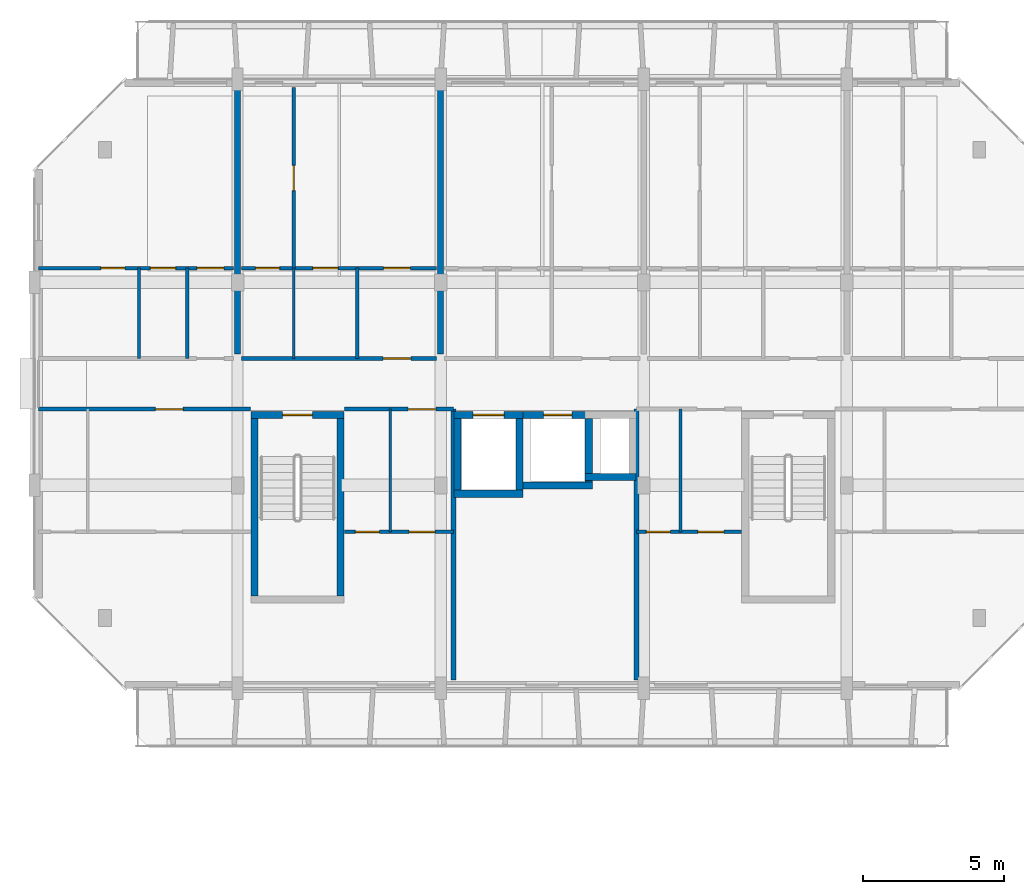
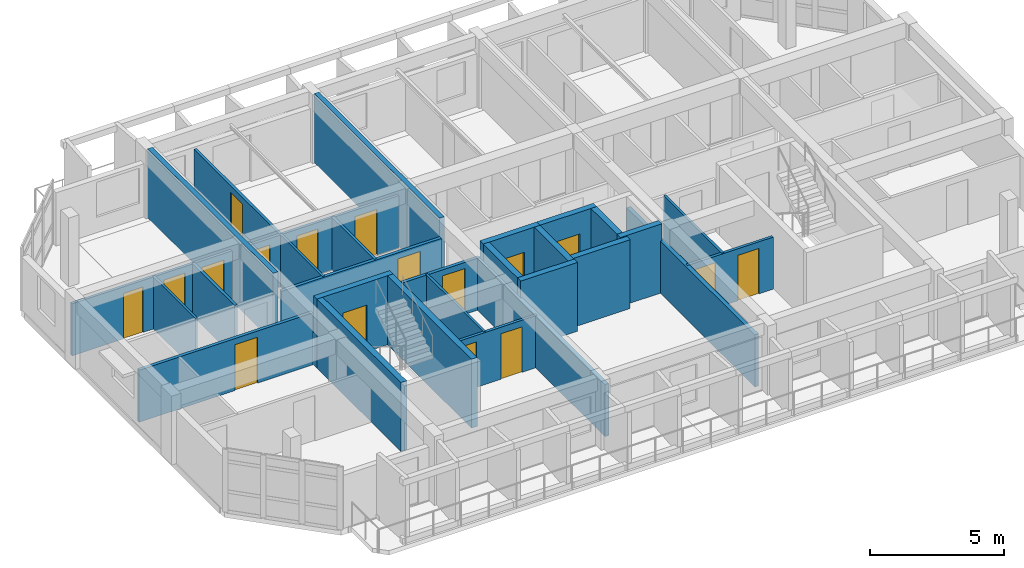
# One storey, part 19 of 40: 29 walls, 17 doors, 17 openings.
"""IFC4 building model written with IfcOpenShell, lengths in metres."""

from ifc_helpers import new_model, si_unit, direction, frame, frame_2d, origin, place, context, subcontext, project, spatial, rectangle, extrude, material, layer, layer_set, type_object, element, fill, save


model = new_model("IFC4")

# Units and contexts
model_context = context("Model", 3, precision=1e-05, world=origin(), true_north=direction((0.0, 1.0)))
body_context = subcontext(model_context, "Body", "Model", "MODEL_VIEW")
ifc_project = project(units=[si_unit("LENGTHUNIT", "METRE"), si_unit("AREAUNIT", "SQUARE_METRE"), si_unit("VOLUMEUNIT", "CUBIC_METRE"), si_unit("PLANEANGLEUNIT", "RADIAN"), si_unit("MASSUNIT", "GRAM", prefix="KILO")], contexts=[model_context])

# Site, building, storey
site_placement = place(None, origin())
site = spatial("IfcSite", under=ifc_project, at=site_placement, CompositionType="ELEMENT")
building_placement = place(site_placement, origin())
building = spatial("IfcBuilding", under=site, at=building_placement, Name="Ochrevale Crest", CompositionType="ELEMENT")
storey_placement = place(building_placement, frame((0.0, 0.0, 27.60009765625)))
storey = spatial("IfcBuildingStorey", under=building, at=storey_placement, Name="L08", CompositionType="ELEMENT", Elevation=27.60009765625)

# Wall, opening, door
ifc_material_1 = material(Name="Gypsum plasterboard", Category="gypsum")
ifc_layer_1 = layer(ifc_material_1, 0.139892578125)
ifc_layer_set_1 = layer_set([ifc_layer_1], Name="Gypsum plasterboard")
wall_type_1 = type_object("IfcWallType", Name="WL-COR-140", PredefinedType="PARTITIONING", material=ifc_layer_set_1)
wall_1_placement = place(storey_placement, frame((7.340087890625, 83.699951171875, 0.0), z_axis=(0.0, 0.0, 1.0), x_axis=(1.0, 0.0, 0.0)))
wall_1 = element("IfcWall", 1, at=wall_1_placement, inside=storey, type_object=wall_type_1, Name="Apartment B-L08-U2 corridor wall", PredefinedType="PARTITIONING", context=body_context, shape_type="SweptSolid", body=[
    extrude(rectangle(XDim=6.919921875, YDim=0.139892578125, at=frame_2d((3.4599609375, 0.0))), origin(), (0.0, 0.0, 1.0), 2.3798828125),
])
opening_1_placement = place(wall_1_placement, frame((5.02001953125, 0.0, 0.0)))
opening_1 = element("IfcOpeningElement", 2, at=opening_1_placement, cuts=wall_1, Name="Opening FD01", PredefinedType="OPENING", context=body_context, shape_type="SweptSolid", body=[
    extrude(rectangle(XDim=0.97998046875, YDim=2.10009765625, at=frame_2d((0.489990234375, 1.050048828125))), frame((0.0, 0.080078125, 0.0), z_axis=(0.0, -1.0, 0.0), x_axis=(1.0, 0.0, 0.0)), (0.0, 0.0, 1.0), 0.159912109375),
])
ifc_material_2 = material(Name="Solid-core FSC hardwood", Category="wood")
door_type_1 = type_object("IfcDoorType", Name="DR-APT-950", OperationType="NOTDEFINED", PredefinedType="DOOR", material=ifc_material_2)
door_1_placement = place(opening_1_placement, origin())
door_1 = element("IfcDoor", 3, at=door_1_placement, inside=storey, type_object=door_type_1, Name="Apartment B-L08-U2 entrance door", OperationType="SINGLE_SWING_LEFT", OverallHeight=2.10009765625, OverallWidth=0.97998046875, PredefinedType="DOOR", context=body_context, shape_type="SweptSolid", body=[
    extrude(rectangle(XDim=0.97998046875, YDim=2.10009765625, at=frame_2d((0.489990234375, 1.050048828125))), frame((0.0, 0.02490234375, 0.0), z_axis=(0.0, -1.0, 0.0), x_axis=(1.0, 0.0, 0.0)), (0.0, 0.0, 1.0), 0.050048828125),
])
fill(opening_1, door_1)

wall_2_placement = place(storey_placement, frame((0.139892578125, 81.89990234375, 0.0), z_axis=(0.0, 0.0, 1.0), x_axis=(1.0, 0.0, 0.0)))
wall_2 = element("IfcWall", 4, at=wall_2_placement, inside=storey, type_object=wall_type_1, Name="Suite B-L08-CW corridor wall", PredefinedType="PARTITIONING", context=body_context, shape_type="SweptSolid", body=[
    extrude(rectangle(XDim=7.52001953125, YDim=0.139892578125, at=frame_2d((3.760009765625, 0.0))), origin(), (0.0, 0.0, 1.0), 2.3798828125),
])
opening_2_placement = place(wall_2_placement, frame((4.14501953125, 0.0, 0.0)))
opening_2 = element("IfcOpeningElement", 5, at=opening_2_placement, cuts=wall_2, Name="Opening FD01", PredefinedType="OPENING", context=body_context, shape_type="SweptSolid", body=[
    extrude(rectangle(XDim=0.97998046875, YDim=2.10009765625, at=frame_2d((0.489990234375, 1.050048828125))), frame((0.0, 0.080078125, 0.0), z_axis=(0.0, -1.0, 0.0), x_axis=(1.0, 0.0, 0.0)), (0.0, 0.0, 1.0), 0.159912109375),
])
door_2_placement = place(opening_2_placement, origin())
door_2 = element("IfcDoor", 6, at=door_2_placement, inside=storey, type_object=door_type_1, Name="Suite B-L08-CW entrance door", OperationType="SINGLE_SWING_LEFT", OverallHeight=2.10009765625, OverallWidth=0.97998046875, PredefinedType="DOOR", context=body_context, shape_type="SweptSolid", body=[
    extrude(rectangle(XDim=0.97998046875, YDim=2.10009765625, at=frame_2d((0.489990234375, 1.050048828125))), frame((0.0, 0.02490234375, 0.0), z_axis=(0.0, -1.0, 0.0), x_axis=(1.0, 0.0, 0.0)), (0.0, 0.0, 1.0), 0.050048828125),
])
fill(opening_2, door_2)

wall_3_placement = place(storey_placement, frame((10.989990234375, 81.89990234375, 0.0), z_axis=(0.0, 0.0, 1.0), x_axis=(1.0, 0.0, 0.0)))
wall_3 = element("IfcWall", 7, at=wall_3_placement, inside=storey, type_object=wall_type_1, Name="Suite B-L08-MW corridor wall", PredefinedType="PARTITIONING", context=body_context, shape_type="SweptSolid", body=[
    extrude(rectangle(XDim=3.8701171875, YDim=0.139892578125, at=frame_2d((1.93505859375, 0.0))), origin(), (0.0, 0.0, 1.0), 2.3798828125),
])
opening_3_placement = place(wall_3_placement, frame((3.23779296875, 0.0, 0.0), z_axis=(0.0, 0.0, 1.0), x_axis=(-1.0, 0.0, 0.0)))
opening_3 = element("IfcOpeningElement", 8, at=opening_3_placement, cuts=wall_3, Name="Opening FD01", PredefinedType="OPENING", context=body_context, shape_type="SweptSolid", body=[
    extrude(rectangle(XDim=0.97998046875, YDim=2.10009765625, at=frame_2d((0.489990234375, 1.050048828125))), frame((0.0, 0.080078125, 0.0), z_axis=(0.0, -1.0, 0.0), x_axis=(1.0, 0.0, 0.0)), (0.0, 0.0, 1.0), 0.159912109375),
])
door_3_placement = place(opening_3_placement, origin())
door_3 = element("IfcDoor", 9, at=door_3_placement, inside=storey, type_object=door_type_1, Name="Suite B-L08-MW entrance door", OperationType="SINGLE_SWING_RIGHT", OverallHeight=2.10009765625, OverallWidth=0.97998046875, PredefinedType="DOOR", context=body_context, shape_type="SweptSolid", body=[
    extrude(rectangle(XDim=0.97998046875, YDim=2.10009765625, at=frame_2d((0.489990234375, 1.050048828125))), frame((0.0, 0.02490234375, 0.0), z_axis=(0.0, -1.0, 0.0), x_axis=(1.0, 0.0, 0.0)), (0.0, 0.0, 1.0), 0.050048828125),
])
fill(opening_3, door_3)

ifc_material_3 = material(Name="Precast concrete C50/60", Category="concrete")
ifc_layer_2 = layer(ifc_material_3, 0.2548828125)
ifc_layer_set_2 = layer_set([ifc_layer_2], Name="Precast concrete C50/60")
wall_type_2 = type_object("IfcWallType", Name="WL-CORE-255", PredefinedType="SHEAR", material=ifc_layer_set_2)
wall_4_placement = place(storey_placement, frame((7.672607421875, 81.699951171875, 0.0), z_axis=(0.0, 0.0, 1.0), x_axis=(1.0, 0.0, 0.0)))
wall_4 = element("IfcWall", 10, at=wall_4_placement, inside=storey, type_object=wall_type_2, Name="Block B L08 Stair 1 precast core shear wall N", PredefinedType="SHEAR", context=body_context, shape_type="SweptSolid", body=[
    extrude(rectangle(XDim=3.304931640625, YDim=0.2548828125, at=frame_2d((1.65234375, 0.0))), origin(), (0.0, 0.0, 1.0), 3.14990234375),
])
opening_4_placement = place(wall_4_placement, frame((2.177490234375, 0.0, 0.0), z_axis=(0.0, 0.0, 1.0), x_axis=(-1.0, 0.0, 0.0)))
opening_4 = element("IfcOpeningElement", 11, at=opening_4_placement, cuts=wall_4, Name="Opening FD03", PredefinedType="OPENING", context=body_context, shape_type="SweptSolid", body=[
    extrude(rectangle(XDim=1.050048828125, YDim=2.1201171875, at=frame_2d((0.52490234375, 1.06005859375))), frame((0.0, 0.137451171875, 0.0), z_axis=(0.0, -1.0, 0.0), x_axis=(1.0, 0.0, 0.0)), (0.0, 0.0, 1.0), 0.27490234375),
])
door_type_2 = type_object("IfcDoorType", Name="DR-ST-1050", OperationType="NOTDEFINED", PredefinedType="DOOR", material=ifc_material_2)
door_4_placement = place(opening_4_placement, origin())
door_4 = element("IfcDoor", 12, at=door_4_placement, inside=storey, type_object=door_type_2, Name="Block B L08 fire stair 1 door", OperationType="SINGLE_SWING_RIGHT", OverallHeight=2.1201171875, OverallWidth=1.050048828125, PredefinedType="DOOR", context=body_context, shape_type="SweptSolid", body=[
    extrude(rectangle(XDim=1.050048828125, YDim=2.1201171875, at=frame_2d((0.52490234375, 1.06005859375))), frame((0.0, 0.02490234375, 0.0), z_axis=(0.0, -1.0, 0.0), x_axis=(1.0, 0.0, 0.0)), (0.0, 0.0, 1.0), 0.050048828125),
])
fill(opening_4, door_4)

# Walls
for number, where, z_axis, x_axis, name in (
    (13, (7.800048828125, 75.277587890625, 0.0), (0.0, 0.0, 1.0), (0.0, 1.0, 0.0), "Block B L08 Stair 1 precast core shear wall W"),
    (14, (10.85009765625, 75.277587890625, 0.0), (0.0, 0.0, 1.0), (0.0, 1.0, 0.0), "Block B L08 Stair 1 precast core shear wall E"),
):
    element("IfcWall", number, at=place(storey_placement, frame(where, z_axis=z_axis, x_axis=x_axis)), inside=storey, type_object=wall_type_2, Name=name, PredefinedType="SHEAR", context=body_context, shape_type="SweptSolid", body=[
        extrude(rectangle(XDim=6.294921875, YDim=0.2548828125, at=frame_2d((3.1474609375, 0.0))), origin(), (0.0, 0.0, 1.0), 3.14990234375),
    ])
wall_5_placement = place(storey_placement, frame((14.87255859375, 78.89990234375, 0.0), z_axis=(0.0, 0.0, 1.0), x_axis=(1.0, 0.0, 0.0)))
element("IfcWall", 15, at=wall_5_placement, inside=storey, type_object=wall_type_2, Name="Block B L08 Lift 1 precast shaft shear wall S", PredefinedType="SHEAR", context=body_context, shape_type="SweptSolid", body=[
    extrude(rectangle(XDim=2.454833984375, YDim=0.2548828125, at=frame_2d((1.2275390625, 0.0))), origin(), (0.0, 0.0, 1.0), 3.14990234375),
])

# Wall, opening, door
wall_6_placement = place(storey_placement, frame((14.87255859375, 81.699951171875, 0.0), z_axis=(0.0, 0.0, 1.0), x_axis=(1.0, 0.0, 0.0)))
wall_6 = element("IfcWall", 16, at=wall_6_placement, inside=storey, type_object=wall_type_2, Name="Block B L08 Lift 1 precast shaft shear wall N", PredefinedType="SHEAR", context=body_context, shape_type="SweptSolid", body=[
    extrude(rectangle(XDim=2.454833984375, YDim=0.2548828125, at=frame_2d((1.2275390625, 0.0))), origin(), (0.0, 0.0, 1.0), 3.14990234375),
])
opening_5_placement = place(wall_6_placement, frame((0.677490234375, 0.0, 0.0)))
opening_5 = element("IfcOpeningElement", 17, at=opening_5_placement, cuts=wall_6, Name="Opening LD01", PredefinedType="OPENING", context=body_context, shape_type="SweptSolid", body=[
    extrude(rectangle(XDim=1.10009765625, YDim=2.14990234375, at=frame_2d((0.550048828125, 1.074951171875))), frame((0.0, 0.137451171875, 0.0), z_axis=(0.0, -1.0, 0.0), x_axis=(1.0, 0.0, 0.0)), (0.0, 0.0, 1.0), 0.27490234375),
])
door_type_3 = type_object("IfcDoorType", Name="DR-LIFT-1100", OperationType="NOTDEFINED", PredefinedType="DOOR", material=ifc_material_2)
door_5_placement = place(opening_5_placement, origin())
door_5 = element("IfcDoor", 18, at=door_5_placement, inside=storey, type_object=door_type_3, Name="Lift LF-B1 L08 sliding landing door", OperationType="SLIDING_TO_LEFT", OverallHeight=2.14990234375, OverallWidth=1.10009765625, PredefinedType="DOOR", context=body_context, shape_type="SweptSolid", body=[
    extrude(rectangle(XDim=1.10009765625, YDim=2.14990234375, at=frame_2d((0.550048828125, 1.074951171875))), frame((0.0, 0.02490234375, 0.0), z_axis=(0.0, -1.0, 0.0), x_axis=(1.0, 0.0, 0.0)), (0.0, 0.0, 1.0), 0.050048828125),
])
fill(opening_5, door_5)

# Walls
for number, where, z_axis, x_axis, name in (
    (19, (15.0, 79.027587890625, 0.0), (0.0, 0.0, 1.0), (0.0, 1.0, 0.0), "Block B L08 Lift 1 precast shaft shear wall W"),
    (20, (17.199951171875, 79.027587890625, 0.0), (0.0, 0.0, 1.0), (0.0, 1.0, 0.0), "Block B L08 Lift 1 precast shaft shear wall E"),
):
    element("IfcWall", number, at=place(storey_placement, frame(where, z_axis=z_axis, x_axis=x_axis)), inside=storey, type_object=wall_type_2, Name=name, PredefinedType="SHEAR", context=body_context, shape_type="SweptSolid", body=[
        extrude(rectangle(XDim=2.544921875, YDim=0.2548828125, at=frame_2d((1.2724609375, 0.0))), origin(), (0.0, 0.0, 1.0), 3.14990234375),
    ])
wall_7_placement = place(storey_placement, frame((17.322509765625, 79.199951171875, 0.0), z_axis=(0.0, 0.0, 1.0), x_axis=(1.0, 0.0, 0.0)))
element("IfcWall", 21, at=wall_7_placement, inside=storey, type_object=wall_type_2, Name="Block B L08 Lift 2 precast shaft shear wall S", PredefinedType="SHEAR", context=body_context, shape_type="SweptSolid", body=[
    extrude(rectangle(XDim=2.455078125, YDim=0.2548828125, at=frame_2d((1.2275390625, 0.0))), origin(), (0.0, 0.0, 1.0), 3.14990234375),
])

# Wall, opening, door
wall_8_placement = place(storey_placement, frame((17.322509765625, 81.699951171875, 0.0), z_axis=(0.0, 0.0, 1.0), x_axis=(1.0, 0.0, 0.0)))
wall_8 = element("IfcWall", 22, at=wall_8_placement, inside=storey, type_object=wall_type_2, Name="Block B L08 Lift 2 precast shaft shear wall N", PredefinedType="SHEAR", context=body_context, shape_type="SweptSolid", body=[
    extrude(rectangle(XDim=2.455078125, YDim=0.2548828125, at=frame_2d((1.2275390625, 0.0))), origin(), (0.0, 0.0, 1.0), 3.14990234375),
])
opening_6_placement = place(wall_8_placement, frame((0.7275390625, 0.0, 0.0)))
opening_6 = element("IfcOpeningElement", 23, at=opening_6_placement, cuts=wall_8, Name="Opening LD02", PredefinedType="OPENING", context=body_context, shape_type="SweptSolid", body=[
    extrude(rectangle(XDim=1.0, YDim=2.14990234375, at=frame_2d((0.5, 1.074951171875))), frame((0.0, 0.137451171875, 0.0), z_axis=(0.0, -1.0, 0.0), x_axis=(1.0, 0.0, 0.0)), (0.0, 0.0, 1.0), 0.27490234375),
])
door_type_4 = type_object("IfcDoorType", Name="DR-LIFT-1000", OperationType="NOTDEFINED", PredefinedType="DOOR", material=ifc_material_2)
door_6_placement = place(opening_6_placement, origin())
door_6 = element("IfcDoor", 24, at=door_6_placement, inside=storey, type_object=door_type_4, Name="Lift LP-B2 L08 sliding landing door", OperationType="SLIDING_TO_RIGHT", OverallHeight=2.14990234375, OverallWidth=1.0, PredefinedType="DOOR", context=body_context, shape_type="SweptSolid", body=[
    extrude(rectangle(XDim=1.0, YDim=2.14990234375, at=frame_2d((0.5, 1.074951171875))), frame((0.0, 0.02490234375, 0.0), z_axis=(0.0, -1.0, 0.0), x_axis=(1.0, 0.0, 0.0)), (0.0, 0.0, 1.0), 0.050048828125),
])
fill(opening_6, door_6)

# Walls
wall_9_placement = place(storey_placement, frame((19.64990234375, 79.327392578125, 0.0), z_axis=(0.0, 0.0, 1.0), x_axis=(0.0, 1.0, 0.0)))
element("IfcWall", 25, at=wall_9_placement, inside=storey, type_object=wall_type_2, Name="Block B L08 Lift 2 precast shaft shear wall E", PredefinedType="SHEAR", context=body_context, shape_type="SweptSolid", body=[
    extrude(rectangle(XDim=2.2451171875, YDim=0.2548828125, at=frame_2d((1.12255859375, 0.0))), origin(), (0.0, 0.0, 1.0), 3.14990234375),
])
wall_10_placement = place(storey_placement, frame((19.5224609375, 79.5, 0.0), z_axis=(0.0, 0.0, 1.0), x_axis=(1.0, 0.0, 0.0)))
element("IfcWall", 26, at=wall_10_placement, inside=storey, type_object=wall_type_2, Name="Block B L08 services riser shaft core wall S", PredefinedType="SHEAR", context=body_context, shape_type="SweptSolid", body=[
    extrude(rectangle(XDim=1.804931640625, YDim=0.2548828125, at=frame_2d((0.90234375, 0.0))), origin(), (0.0, 0.0, 1.0), 3.14990234375),
])
ifc_layer_3 = layer(ifc_material_1, 0.1201171875)
ifc_layer_set_3 = layer_set([ifc_layer_3], Name="Gypsum plasterboard")
wall_type_3 = type_object("IfcWallType", Name="WL-PART-120", PredefinedType="PARTITIONING", material=ifc_layer_set_3)
wall_11_placement = place(storey_placement, frame((5.409912109375, 83.699951171875, 0.0), z_axis=(0.0, 0.0, 1.0), x_axis=(0.0, 1.0, 0.0)))
element("IfcWall", 27, at=wall_11_placement, inside=storey, type_object=wall_type_3, Name="Apartment B-L08-U1 kitchen-foyer wall", PredefinedType="PARTITIONING", context=body_context, shape_type="SweptSolid", body=[
    extrude(rectangle(XDim=3.199951171875, YDim=0.1201171875, at=frame_2d((1.60009765625, 0.0))), origin(), (0.0, 0.0, 1.0), 2.3798828125),
])

# Wall, openings, doors
wall_12_placement = place(storey_placement, frame((0.139892578125, 86.89990234375, 0.0), z_axis=(0.0, 0.0, 1.0), x_axis=(1.0, 0.0, 0.0)))
wall_12 = element("IfcWall", 28, at=wall_12_placement, inside=storey, type_object=wall_type_3, Name="Apartment B-L08-U1 central partition", PredefinedType="PARTITIONING", context=body_context, shape_type="SweptSolid", body=[
    extrude(rectangle(XDim=6.920166015625, YDim=0.1201171875, at=frame_2d((3.4599609375, 0.0))), origin(), (0.0, 0.0, 1.0), 2.3798828125),
])
opening_7_placement = place(wall_12_placement, frame((3.06005859375, 0.0, 0.0), z_axis=(0.0, 0.0, 1.0), x_axis=(-1.0, 0.0, 0.0)))
opening_7 = element("IfcOpeningElement", 29, at=opening_7_placement, cuts=wall_12, Name="Opening ID01", PredefinedType="OPENING", context=body_context, shape_type="SweptSolid", body=[
    extrude(rectangle(XDim=0.85009765625, YDim=2.080078125, at=frame_2d((0.425048828125, 1.0400390625))), frame((0.0, 0.070068359375, 0.0), z_axis=(0.0, -1.0, 0.0), x_axis=(1.0, 0.0, 0.0)), (0.0, 0.0, 1.0), 0.14013671875),
])
opening_8_placement = place(wall_12_placement, frame((3.965087890625, 0.0, 0.0)))
opening_8 = element("IfcOpeningElement", 30, at=opening_8_placement, cuts=wall_12, Name="Opening ID02", PredefinedType="OPENING", context=body_context, shape_type="SweptSolid", body=[
    extrude(rectangle(XDim=0.89990234375, YDim=2.080078125, at=frame_2d((0.449951171875, 1.0400390625))), frame((0.0, 0.070068359375, 0.0), z_axis=(0.0, -1.0, 0.0), x_axis=(1.0, 0.0, 0.0)), (0.0, 0.0, 1.0), 0.14013671875),
])
opening_9_placement = place(wall_12_placement, frame((6.570068359375, 0.0, 0.0), z_axis=(0.0, 0.0, 1.0), x_axis=(-1.0, 0.0, 0.0)))
opening_9 = element("IfcOpeningElement", 31, at=opening_9_placement, cuts=wall_12, Name="Opening ID06", PredefinedType="OPENING", context=body_context, shape_type="SweptSolid", body=[
    extrude(rectangle(XDim=0.949951171875, YDim=2.080078125, at=frame_2d((0.47509765625, 1.0400390625))), frame((0.0, 0.070068359375, 0.0), z_axis=(0.0, -1.0, 0.0), x_axis=(1.0, 0.0, 0.0)), (0.0, 0.0, 1.0), 0.14013671875),
])
door_type_5 = type_object("IfcDoorType", Name="DR-INT-900", OperationType="NOTDEFINED", PredefinedType="DOOR", material=ifc_material_2)
door_7_placement = place(opening_8_placement, origin())
door_7 = element("IfcDoor", 32, at=door_7_placement, inside=storey, type_object=door_type_5, Name="Apartment B-L08-U1 Kitchen door", OperationType="SINGLE_SWING_LEFT", OverallHeight=2.080078125, OverallWidth=0.89990234375, PredefinedType="DOOR", context=body_context, shape_type="SweptSolid", body=[
    extrude(rectangle(XDim=0.89990234375, YDim=2.080078125, at=frame_2d((0.449951171875, 1.0400390625))), frame((0.0, 0.02490234375, 0.0), z_axis=(0.0, -1.0, 0.0), x_axis=(1.0, 0.0, 0.0)), (0.0, 0.0, 1.0), 0.050048828125),
])
fill(opening_8, door_7)
door_type_6 = type_object("IfcDoorType", Name="DR-INT-950", OperationType="NOTDEFINED", PredefinedType="DOOR", material=ifc_material_2)
door_8_placement = place(opening_9_placement, origin())
door_8 = element("IfcDoor", 33, at=door_8_placement, inside=storey, type_object=door_type_6, Name="Apartment B-L08-U1 Living Foyer door", OperationType="SINGLE_SWING_RIGHT", OverallHeight=2.080078125, OverallWidth=0.949951171875, PredefinedType="DOOR", context=body_context, shape_type="SweptSolid", body=[
    extrude(rectangle(XDim=0.949951171875, YDim=2.080078125, at=frame_2d((0.47509765625, 1.0400390625))), frame((0.0, 0.02490234375, 0.0), z_axis=(0.0, -1.0, 0.0), x_axis=(1.0, 0.0, 0.0)), (0.0, 0.0, 1.0), 0.050048828125),
])
fill(opening_9, door_8)
door_type_7 = type_object("IfcDoorType", Name="DR-WC-850", OperationType="NOTDEFINED", PredefinedType="DOOR", material=ifc_material_2)
door_9_placement = place(opening_7_placement, origin())
door_9 = element("IfcDoor", 34, at=door_9_placement, inside=storey, type_object=door_type_7, Name="Apartment B-L08-U1 Bathroom door", OperationType="SINGLE_SWING_RIGHT", OverallHeight=2.080078125, OverallWidth=0.85009765625, PredefinedType="DOOR", context=body_context, shape_type="SweptSolid", body=[
    extrude(rectangle(XDim=0.85009765625, YDim=2.080078125, at=frame_2d((0.425048828125, 1.0400390625))), frame((0.0, 0.02490234375, 0.0), z_axis=(0.0, -1.0, 0.0), x_axis=(1.0, 0.0, 0.0)), (0.0, 0.0, 1.0), 0.050048828125),
])
fill(opening_7, door_9)

# Wall
wall_13_placement = place(storey_placement, frame((11.43994140625, 83.699951171875, 0.0), z_axis=(0.0, 0.0, 1.0), x_axis=(0.0, 1.0, 0.0)))
element("IfcWall", 35, at=wall_13_placement, inside=storey, type_object=wall_type_3, Name="Apartment B-L08-U2 kitchen-foyer wall", PredefinedType="PARTITIONING", context=body_context, shape_type="SweptSolid", body=[
    extrude(rectangle(XDim=3.199951171875, YDim=0.1201171875, at=frame_2d((1.60009765625, 0.0))), origin(), (0.0, 0.0, 1.0), 2.3798828125),
])

# Wall, openings, doors
wall_14_placement = place(storey_placement, frame((7.340087890625, 86.89990234375, 0.0), z_axis=(0.0, 0.0, 1.0), x_axis=(1.0, 0.0, 0.0)))
wall_14 = element("IfcWall", 36, at=wall_14_placement, inside=storey, type_object=wall_type_3, Name="Apartment B-L08-U2 central partition", PredefinedType="PARTITIONING", context=body_context, shape_type="SweptSolid", body=[
    extrude(rectangle(XDim=6.919921875, YDim=0.1201171875, at=frame_2d((3.4599609375, 0.0))), origin(), (0.0, 0.0, 1.0), 2.3798828125),
])
opening_10_placement = place(wall_14_placement, frame((1.35009765625, 0.0, 0.0), z_axis=(0.0, 0.0, 1.0), x_axis=(-1.0, 0.0, 0.0)))
opening_10 = element("IfcOpeningElement", 37, at=opening_10_placement, cuts=wall_14, Name="Opening ID01", PredefinedType="OPENING", context=body_context, shape_type="SweptSolid", body=[
    extrude(rectangle(XDim=0.85009765625, YDim=2.080078125, at=frame_2d((0.425048828125, 1.0400390625))), frame((0.0, 0.070068359375, 0.0), z_axis=(0.0, -1.0, 0.0), x_axis=(1.0, 0.0, 0.0)), (0.0, 0.0, 1.0), 0.14013671875),
])
opening_11_placement = place(wall_14_placement, frame((2.52490234375, 0.0, 0.0)))
opening_11 = element("IfcOpeningElement", 38, at=opening_11_placement, cuts=wall_14, Name="Opening ID02", PredefinedType="OPENING", context=body_context, shape_type="SweptSolid", body=[
    extrude(rectangle(XDim=0.89990234375, YDim=2.080078125, at=frame_2d((0.449951171875, 1.0400390625))), frame((0.0, 0.070068359375, 0.0), z_axis=(0.0, -1.0, 0.0), x_axis=(1.0, 0.0, 0.0)), (0.0, 0.0, 1.0), 0.14013671875),
])
opening_12_placement = place(wall_14_placement, frame((5.98486328125, 0.0, 0.0), z_axis=(0.0, 0.0, 1.0), x_axis=(-1.0, 0.0, 0.0)))
opening_12 = element("IfcOpeningElement", 39, at=opening_12_placement, cuts=wall_14, Name="Opening ID06", PredefinedType="OPENING", context=body_context, shape_type="SweptSolid", body=[
    extrude(rectangle(XDim=0.949951171875, YDim=2.080078125, at=frame_2d((0.47509765625, 1.0400390625))), frame((0.0, 0.070068359375, 0.0), z_axis=(0.0, -1.0, 0.0), x_axis=(1.0, 0.0, 0.0)), (0.0, 0.0, 1.0), 0.14013671875),
])
door_10_placement = place(opening_11_placement, origin())
door_10 = element("IfcDoor", 40, at=door_10_placement, inside=storey, type_object=door_type_5, Name="Apartment B-L08-U2 Kitchen door", OperationType="SINGLE_SWING_LEFT", OverallHeight=2.080078125, OverallWidth=0.89990234375, PredefinedType="DOOR", context=body_context, shape_type="SweptSolid", body=[
    extrude(rectangle(XDim=0.89990234375, YDim=2.080078125, at=frame_2d((0.449951171875, 1.0400390625))), frame((0.0, 0.02490234375, 0.0), z_axis=(0.0, -1.0, 0.0), x_axis=(1.0, 0.0, 0.0)), (0.0, 0.0, 1.0), 0.050048828125),
])
fill(opening_11, door_10)
door_11_placement = place(opening_12_placement, origin())
door_11 = element("IfcDoor", 41, at=door_11_placement, inside=storey, type_object=door_type_6, Name="Apartment B-L08-U2 Living Foyer door", OperationType="SINGLE_SWING_RIGHT", OverallHeight=2.080078125, OverallWidth=0.949951171875, PredefinedType="DOOR", context=body_context, shape_type="SweptSolid", body=[
    extrude(rectangle(XDim=0.949951171875, YDim=2.080078125, at=frame_2d((0.47509765625, 1.0400390625))), frame((0.0, 0.02490234375, 0.0), z_axis=(0.0, -1.0, 0.0), x_axis=(1.0, 0.0, 0.0)), (0.0, 0.0, 1.0), 0.050048828125),
])
fill(opening_12, door_11)
door_12_placement = place(opening_10_placement, origin())
door_12 = element("IfcDoor", 42, at=door_12_placement, inside=storey, type_object=door_type_7, Name="Apartment B-L08-U2 Bathroom door", OperationType="SINGLE_SWING_RIGHT", OverallHeight=2.080078125, OverallWidth=0.85009765625, PredefinedType="DOOR", context=body_context, shape_type="SweptSolid", body=[
    extrude(rectangle(XDim=0.85009765625, YDim=2.080078125, at=frame_2d((0.425048828125, 1.0400390625))), frame((0.0, 0.02490234375, 0.0), z_axis=(0.0, -1.0, 0.0), x_axis=(1.0, 0.0, 0.0)), (0.0, 0.0, 1.0), 0.050048828125),
])
fill(opening_10, door_12)

# Wall, opening, door
wall_15_placement = place(storey_placement, frame((9.18994140625, 86.89990234375, 0.0), z_axis=(0.0, 0.0, 1.0), x_axis=(0.0, 1.0, 0.0)))
wall_15 = element("IfcWall", 43, at=wall_15_placement, inside=storey, type_object=wall_type_3, Name="Apartment B-L08-U2 bedroom partition", PredefinedType="PARTITIONING", context=body_context, shape_type="SweptSolid", body=[
    extrude(rectangle(XDim=6.400146484375, YDim=0.1201171875, at=frame_2d((3.2001953125, 0.0))), origin(), (0.0, 0.0, 1.0), 2.3798828125),
])
opening_13_placement = place(wall_15_placement, frame((2.75, 0.0, 0.0)))
opening_13 = element("IfcOpeningElement", 44, at=opening_13_placement, cuts=wall_15, Name="Opening ID02", PredefinedType="OPENING", context=body_context, shape_type="SweptSolid", body=[
    extrude(rectangle(XDim=0.89990234375, YDim=2.080078125, at=frame_2d((0.449951171875, 1.0400390625))), frame((0.0, 0.070068359375, 0.0), z_axis=(0.0, -1.0, 0.0), x_axis=(1.0, 0.0, 0.0)), (0.0, 0.0, 1.0), 0.14013671875),
])
door_13_placement = place(opening_13_placement, origin())
door_13 = element("IfcDoor", 45, at=door_13_placement, inside=storey, type_object=door_type_5, Name="Apartment B-L08-U2 Double Bedroom door", OperationType="SINGLE_SWING_LEFT", OverallHeight=2.080078125, OverallWidth=0.89990234375, PredefinedType="DOOR", context=body_context, shape_type="SweptSolid", body=[
    extrude(rectangle(XDim=0.89990234375, YDim=2.080078125, at=frame_2d((0.449951171875, 1.0400390625))), frame((0.0, 0.02490234375, 0.0), z_axis=(0.0, -1.0, 0.0), x_axis=(1.0, 0.0, 0.0)), (0.0, 0.0, 1.0), 0.050048828125),
])
fill(opening_13, door_13)

# Wall, openings, doors
wall_16_placement = place(storey_placement, frame((10.989990234375, 77.550048828125, 0.0), z_axis=(0.0, 0.0, 1.0), x_axis=(1.0, 0.0, 0.0)))
wall_16 = element("IfcWall", 46, at=wall_16_placement, inside=storey, type_object=wall_type_3, Name="Suite B-L08-MW internal wall", PredefinedType="PARTITIONING", context=body_context, shape_type="SweptSolid", body=[
    extrude(rectangle(XDim=3.8701171875, YDim=0.1201171875, at=frame_2d((1.93505859375, 0.0))), origin(), (0.0, 0.0, 1.0), 2.3798828125),
])
opening_14_placement = place(wall_16_placement, frame((0.3876953125, 0.0, 0.0)))
opening_14 = element("IfcOpeningElement", 47, at=opening_14_placement, cuts=wall_16, Name="Opening ID01", PredefinedType="OPENING", context=body_context, shape_type="SweptSolid", body=[
    extrude(rectangle(XDim=0.85009765625, YDim=2.080078125, at=frame_2d((0.425048828125, 1.0400390625))), frame((0.0, 0.070068359375, 0.0), z_axis=(0.0, -1.0, 0.0), x_axis=(1.0, 0.0, 0.0)), (0.0, 0.0, 1.0), 0.14013671875),
])
opening_15_placement = place(wall_16_placement, frame((3.20751953125, 0.0, 0.0), z_axis=(0.0, 0.0, 1.0), x_axis=(-1.0, 0.0, 0.0)))
opening_15 = element("IfcOpeningElement", 48, at=opening_15_placement, cuts=wall_16, Name="Opening ID04", PredefinedType="OPENING", context=body_context, shape_type="SweptSolid", body=[
    extrude(rectangle(XDim=0.919921875, YDim=2.080078125, at=frame_2d((0.4599609375, 1.0400390625))), frame((0.0, 0.070068359375, 0.0), z_axis=(0.0, -1.0, 0.0), x_axis=(1.0, 0.0, 0.0)), (0.0, 0.0, 1.0), 0.14013671875),
])
door_type_8 = type_object("IfcDoorType", Name="DR-INT-920", OperationType="NOTDEFINED", PredefinedType="DOOR", material=ifc_material_2)
door_14_placement = place(opening_15_placement, origin())
door_14 = element("IfcDoor", 49, at=door_14_placement, inside=storey, type_object=door_type_8, Name="Suite B-L08-MW Courtyard Studio Living door", OperationType="SINGLE_SWING_RIGHT", OverallHeight=2.080078125, OverallWidth=0.919921875, PredefinedType="DOOR", context=body_context, shape_type="SweptSolid", body=[
    extrude(rectangle(XDim=0.919921875, YDim=2.080078125, at=frame_2d((0.4599609375, 1.0400390625))), frame((0.0, 0.02490234375, 0.0), z_axis=(0.0, -1.0, 0.0), x_axis=(1.0, 0.0, 0.0)), (0.0, 0.0, 1.0), 0.050048828125),
])
fill(opening_15, door_14)
door_15_placement = place(opening_14_placement, origin())
door_15 = element("IfcDoor", 50, at=door_15_placement, inside=storey, type_object=door_type_7, Name="Suite B-L08-MW Bathroom door", OperationType="SINGLE_SWING_LEFT", OverallHeight=2.080078125, OverallWidth=0.85009765625, PredefinedType="DOOR", context=body_context, shape_type="SweptSolid", body=[
    extrude(rectangle(XDim=0.85009765625, YDim=2.080078125, at=frame_2d((0.425048828125, 1.0400390625))), frame((0.0, 0.02490234375, 0.0), z_axis=(0.0, -1.0, 0.0), x_axis=(1.0, 0.0, 0.0)), (0.0, 0.0, 1.0), 0.050048828125),
])
fill(opening_14, door_15)

wall_17_placement = place(storey_placement, frame((21.340087890625, 77.550048828125, 0.0), z_axis=(0.0, 0.0, 1.0), x_axis=(1.0, 0.0, 0.0)))
wall_17 = element("IfcWall", 51, at=wall_17_placement, inside=storey, type_object=wall_type_3, Name="Suite B-L08-ME internal wall", PredefinedType="PARTITIONING", context=body_context, shape_type="SweptSolid", body=[
    extrude(rectangle(XDim=3.719970703125, YDim=0.1201171875, at=frame_2d((1.85986328125, 0.0))), origin(), (0.0, 0.0, 1.0), 2.3798828125),
])
opening_16_placement = place(wall_17_placement, frame((1.206298828125, 0.0, 0.0), z_axis=(0.0, 0.0, 1.0), x_axis=(-1.0, 0.0, 0.0)))
opening_16 = element("IfcOpeningElement", 52, at=opening_16_placement, cuts=wall_17, Name="Opening ID01", PredefinedType="OPENING", context=body_context, shape_type="SweptSolid", body=[
    extrude(rectangle(XDim=0.85009765625, YDim=2.080078125, at=frame_2d((0.425048828125, 1.0400390625))), frame((0.0, 0.070068359375, 0.0), z_axis=(0.0, -1.0, 0.0), x_axis=(1.0, 0.0, 0.0)), (0.0, 0.0, 1.0), 0.14013671875),
])
opening_17_placement = place(wall_17_placement, frame((2.18115234375, 0.0, 0.0)))
opening_17 = element("IfcOpeningElement", 53, at=opening_17_placement, cuts=wall_17, Name="Opening ID04", PredefinedType="OPENING", context=body_context, shape_type="SweptSolid", body=[
    extrude(rectangle(XDim=0.919921875, YDim=2.080078125, at=frame_2d((0.4599609375, 1.0400390625))), frame((0.0, 0.070068359375, 0.0), z_axis=(0.0, -1.0, 0.0), x_axis=(1.0, 0.0, 0.0)), (0.0, 0.0, 1.0), 0.14013671875),
])
door_16_placement = place(opening_17_placement, origin())
door_16 = element("IfcDoor", 54, at=door_16_placement, inside=storey, type_object=door_type_8, Name="Suite B-L08-ME Garden Alcove Studio door", OperationType="SINGLE_SWING_LEFT", OverallHeight=2.080078125, OverallWidth=0.919921875, PredefinedType="DOOR", context=body_context, shape_type="SweptSolid", body=[
    extrude(rectangle(XDim=0.919921875, YDim=2.080078125, at=frame_2d((0.4599609375, 1.0400390625))), frame((0.0, 0.02490234375, 0.0), z_axis=(0.0, -1.0, 0.0), x_axis=(1.0, 0.0, 0.0)), (0.0, 0.0, 1.0), 0.050048828125),
])
fill(opening_17, door_16)
door_17_placement = place(opening_16_placement, origin())
door_17 = element("IfcDoor", 55, at=door_17_placement, inside=storey, type_object=door_type_7, Name="Suite B-L08-ME Bathroom door", OperationType="SINGLE_SWING_RIGHT", OverallHeight=2.080078125, OverallWidth=0.85009765625, PredefinedType="DOOR", context=body_context, shape_type="SweptSolid", body=[
    extrude(rectangle(XDim=0.85009765625, YDim=2.080078125, at=frame_2d((0.425048828125, 1.0400390625))), frame((0.0, 0.02490234375, 0.0), z_axis=(0.0, -1.0, 0.0), x_axis=(1.0, 0.0, 0.0)), (0.0, 0.0, 1.0), 0.050048828125),
])
fill(opening_16, door_17)

# Walls
ifc_material_4 = material(Name="Precast concrete C40/50", Category="concrete")
ifc_layer_4 = layer(ifc_material_4, 0.2099609375)
ifc_layer_set_4 = layer_set([ifc_layer_4], Name="Precast concrete C40/50")
wall_type_4 = type_object("IfcWallType", Name="WL-SHEAR-210", PredefinedType="SHEAR", material=ifc_layer_set_4)
for number, where, z_axis, x_axis, name in (
    (56, (7.199951171875, 83.85009765625, 0.0), (0.0, 0.0, 1.0), (0.0, 1.0, 0.0), "Block B L08 load-bearing precast cross-wall X=7.2"),
    (57, (14.39990234375, 83.85009765625, 0.0), (0.0, 0.0, 1.0), (0.0, 1.0, 0.0), "Block B L08 load-bearing precast cross-wall X=14.4"),
):
    element("IfcWall", number, at=place(storey_placement, frame(where, z_axis=z_axis, x_axis=x_axis)), inside=storey, type_object=wall_type_4, Name=name, PredefinedType="SHEAR", context=body_context, shape_type="SweptSolid", body=[
        extrude(rectangle(XDim=9.39990234375, YDim=0.2099609375, at=frame_2d((4.699951171875, 0.0))), origin(), (0.0, 0.0, 1.0), 3.14990234375),
    ])
ifc_layer_5 = layer(ifc_material_1, 0.169921875)
ifc_layer_set_5 = layer_set([ifc_layer_5], Name="Gypsum plasterboard")
wall_type_5 = type_object("IfcWallType", Name="WL-TEN-170", PredefinedType="PARTITIONING", material=ifc_layer_set_5)
for number, where, z_axis, x_axis, name in (
    (58, (14.860107421875, 72.300048828125, 0.0), (0.0, 0.0, 1.0), (0.0, 1.0, 0.0), "Suite B-L08-MW east party wall"),
    (59, (21.340087890625, 72.300048828125, 0.0), (0.0, 0.0, 1.0), (0.0, 1.0, 0.0), "Suite B-L08-ME west party wall"),
):
    element("IfcWall", number, at=place(storey_placement, frame(where, z_axis=z_axis, x_axis=x_axis)), inside=storey, type_object=wall_type_5, Name=name, PredefinedType="PARTITIONING", context=body_context, shape_type="SweptSolid", body=[
        extrude(rectangle(XDim=9.599853515625, YDim=0.169921875, at=frame_2d((4.7998046875, 0.0))), origin(), (0.0, 0.0, 1.0), 2.3798828125),
    ])
ifc_layer_6 = layer(ifc_material_1, 0.10009765625)
ifc_layer_set_6 = layer_set([ifc_layer_6], Name="Gypsum plasterboard")
wall_type_6 = type_object("IfcWallType", Name="WL-WET-100", PredefinedType="PARTITIONING", material=ifc_layer_set_6)
for number, where, z_axis, x_axis, name in (
    (60, (3.699951171875, 83.699951171875, 0.0), (0.0, 0.0, 1.0), (0.0, 1.0, 0.0), "Apartment B-L08-U1 bath-kitchen wall"),
    (61, (9.18994140625, 83.699951171875, 0.0), (0.0, 0.0, 1.0), (0.0, 1.0, 0.0), "Apartment B-L08-U2 bath-kitchen wall"),
):
    element("IfcWall", number, at=place(storey_placement, frame(where, z_axis=z_axis, x_axis=x_axis)), inside=storey, type_object=wall_type_6, Name=name, PredefinedType="PARTITIONING", context=body_context, shape_type="SweptSolid", body=[
        extrude(rectangle(XDim=3.199951171875, YDim=0.10009765625, at=frame_2d((1.60009765625, 0.0))), origin(), (0.0, 0.0, 1.0), 2.3798828125),
    ])
for number, where, z_axis, x_axis, name in (
    (62, (12.615478515625, 77.550048828125, 0.0), (0.0, 0.0, 1.0), (0.0, 1.0, 0.0), "Suite B-L08-MW bathroom divider"),
    (63, (22.90234375, 77.550048828125, 0.0), (0.0, 0.0, 1.0), (0.0, 1.0, 0.0), "Suite B-L08-ME bathroom divider"),
):
    element("IfcWall", number, at=place(storey_placement, frame(where, z_axis=z_axis, x_axis=x_axis)), inside=storey, type_object=wall_type_6, Name=name, PredefinedType="PARTITIONING", context=body_context, shape_type="SweptSolid", body=[
        extrude(rectangle(XDim=4.349853515625, YDim=0.10009765625, at=frame_2d((2.1748046875, 0.0))), origin(), (0.0, 0.0, 1.0), 2.3798828125),
    ])

save(model, "model.ifc")
